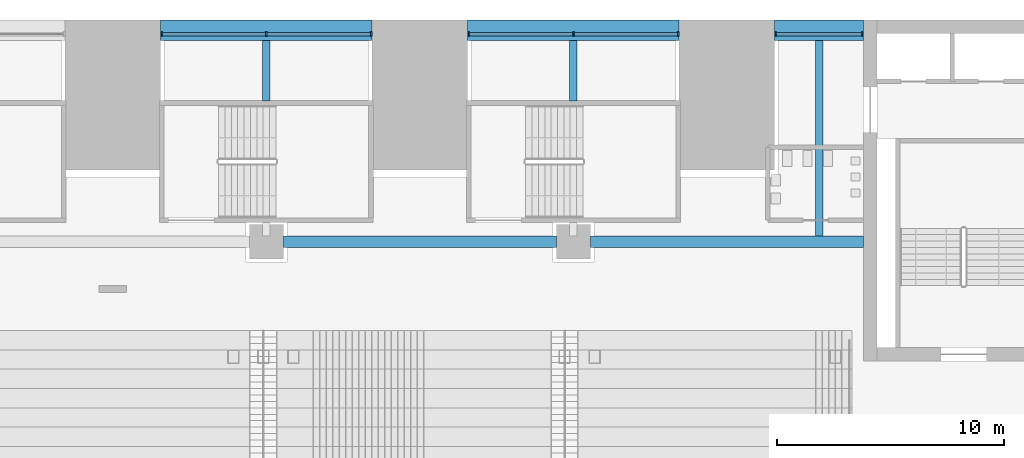
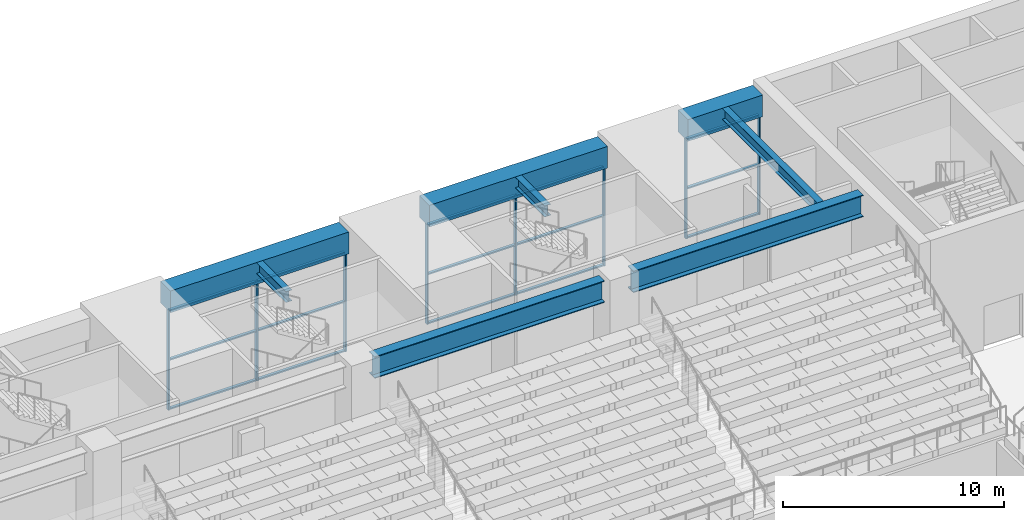
# One storey, part 11 of 62: 23 members, 8 beams, 3 elements without a shape of their own.
"""IFC4 building model written with IfcOpenShell, lengths in metres."""

from ifc_helpers import new_model, si_unit, direction, frame, origin, origin_2d, place, context, subcontext, project, spatial, rectangle, i_section, extrude, material, layer, layer_set, material_profile, profile_set, type_object, element, aggregate, save


model = new_model("IFC4")

# Units and contexts
model_context = context("Model", 3, precision=1e-05, world=origin(), true_north=direction((0.0, 1.0)))
body_context = subcontext(model_context, "Body", "Model", "MODEL_VIEW")
ifc_project = project(units=[si_unit("LENGTHUNIT", "METRE"), si_unit("AREAUNIT", "SQUARE_METRE"), si_unit("VOLUMEUNIT", "CUBIC_METRE"), si_unit("PLANEANGLEUNIT", "RADIAN"), si_unit("MASSUNIT", "GRAM", prefix="KILO")], contexts=[model_context])

# Site, building, storey
site_placement = place(None, origin())
site = spatial("IfcSite", under=ifc_project, at=site_placement, CompositionType="ELEMENT")
building_placement = place(site_placement, origin())
building = spatial("IfcBuilding", under=site, at=building_placement, Name="Corbelhall Arena Tower", CompositionType="ELEMENT")
storey_placement = place(building_placement, frame((0.0, 0.0, 12.0)))
storey = spatial("IfcBuildingStorey", under=building, at=storey_placement, Name="L01", CompositionType="ELEMENT", Elevation=12.0)

# Curtain wall, members
ifc_material_1 = material(Name="Aluminium black anodised", Category="aluminium")
ifc_layer = layer(ifc_material_1, 0.239990234375)
ifc_layer_set = layer_set([ifc_layer], Name="EV-CW4 Arena concourse glazing")
curtain_wall_type = type_object("IfcCurtainWallType", Name="EV-CW4 Arena concourse glazing", PredefinedType="NOTDEFINED", material=ifc_layer_set)
curtain_wall_1_placement = place(storey_placement, origin())
curtain_wall_1 = element("IfcCurtainWall", 1, at=curtain_wall_1_placement, inside=storey, type_object=curtain_wall_type, Name="Curtain wall CW4A", PredefinedType="NOTDEFINED")
ifc_material_profile_1 = material_profile(ifc_material_1, rectangle(XDim=0.199951171875, YDim=0.074951171875, at=origin_2d()))
ifc_profile_set_1 = profile_set([ifc_material_profile_1], Name="Aluminium black anodised")
member_type_1 = type_object("IfcMemberType", Name="EV-CW4-MULLION", PredefinedType="MULLION", material=ifc_profile_set_1)
member_1_placement = place(storey_placement, frame((32.96240234375, 38.3798828125, 0.0), z_axis=(0.0, 0.0, 1.0), x_axis=(0.0, -1.0, 0.0)))
member_1 = element("IfcMember", 2, at=member_1_placement, type_object=member_type_1, Name="CW4A mullion 1", PredefinedType="MULLION", context=body_context, shape_type="SweptSolid", body=[
    extrude(rectangle(XDim=0.199951171875, YDim=0.074951171875, at=origin_2d()), origin(), (0.0, 0.0, 1.0), 5.5),
])
member_2_placement = place(storey_placement, frame((29.137451171875, 38.3798828125, 0.0), z_axis=(0.0, 0.0, 1.0), x_axis=(0.0, -1.0, 0.0)))
member_2 = element("IfcMember", 3, at=member_2_placement, type_object=member_type_1, Name="CW4A mullion 2", PredefinedType="MULLION", context=body_context, shape_type="SweptSolid", body=[
    extrude(rectangle(XDim=0.199951171875, YDim=0.074951171875, at=origin_2d()), origin(), (0.0, 0.0, 1.0), 5.5),
])

curtain_wall_2_placement = place(storey_placement, origin())
curtain_wall_2 = element("IfcCurtainWall", 4, at=curtain_wall_2_placement, inside=storey, type_object=curtain_wall_type, Name="Curtain wall CW4", PredefinedType="NOTDEFINED")
member_3_placement = place(storey_placement, frame((24.862548828125, 38.3798828125, 0.0), z_axis=(0.0, 0.0, 1.0), x_axis=(0.0, -1.0, 0.0)))
member_3 = element("IfcMember", 5, at=member_3_placement, type_object=member_type_1, Name="CW4 mullion 1", PredefinedType="MULLION", context=body_context, shape_type="SweptSolid", body=[
    extrude(rectangle(XDim=0.199951171875, YDim=0.074951171875, at=origin_2d()), origin(), (0.0, 0.0, 1.0), 5.5),
])
member_4_placement = place(storey_placement, frame((20.25, 38.3798828125, 0.0), z_axis=(0.0, 0.0, 1.0), x_axis=(0.0, -1.0, 0.0)))
member_4 = element("IfcMember", 6, at=member_4_placement, type_object=member_type_1, Name="CW4 mullion 2", PredefinedType="MULLION", context=body_context, shape_type="SweptSolid", body=[
    extrude(rectangle(XDim=0.199951171875, YDim=0.074951171875, at=origin_2d()), origin(), (0.0, 0.0, 1.0), 5.5),
])
member_5_placement = place(storey_placement, frame((15.637451171875, 38.3798828125, 0.0), z_axis=(0.0, 0.0, 1.0), x_axis=(0.0, -1.0, 0.0)))
member_5 = element("IfcMember", 7, at=member_5_placement, type_object=member_type_1, Name="CW4 mullion 3", PredefinedType="MULLION", context=body_context, shape_type="SweptSolid", body=[
    extrude(rectangle(XDim=0.199951171875, YDim=0.074951171875, at=origin_2d()), origin(), (0.0, 0.0, 1.0), 5.5),
])

curtain_wall_3_placement = place(storey_placement, origin())
curtain_wall_3 = element("IfcCurtainWall", 8, at=curtain_wall_3_placement, inside=storey, type_object=curtain_wall_type, Name="Curtain wall CW4", PredefinedType="NOTDEFINED")
member_6_placement = place(storey_placement, frame((11.362548828125, 38.3798828125, 0.0), z_axis=(0.0, 0.0, 1.0), x_axis=(0.0, -1.0, 0.0)))
member_6 = element("IfcMember", 9, at=member_6_placement, type_object=member_type_1, Name="CW4 mullion 1", PredefinedType="MULLION", context=body_context, shape_type="SweptSolid", body=[
    extrude(rectangle(XDim=0.199951171875, YDim=0.074951171875, at=origin_2d()), origin(), (0.0, 0.0, 1.0), 5.5),
])
member_7_placement = place(storey_placement, frame((6.75, 38.3798828125, 0.0), z_axis=(0.0, 0.0, 1.0), x_axis=(0.0, -1.0, 0.0)))
member_7 = element("IfcMember", 10, at=member_7_placement, type_object=member_type_1, Name="CW4 mullion 2", PredefinedType="MULLION", context=body_context, shape_type="SweptSolid", body=[
    extrude(rectangle(XDim=0.199951171875, YDim=0.074951171875, at=origin_2d()), origin(), (0.0, 0.0, 1.0), 5.5),
])
member_8_placement = place(storey_placement, frame((2.137451171875, 38.3798828125, 0.0), z_axis=(0.0, 0.0, 1.0), x_axis=(0.0, -1.0, 0.0)))
member_8 = element("IfcMember", 11, at=member_8_placement, type_object=member_type_1, Name="CW4 mullion 3", PredefinedType="MULLION", context=body_context, shape_type="SweptSolid", body=[
    extrude(rectangle(XDim=0.199951171875, YDim=0.074951171875, at=origin_2d()), origin(), (0.0, 0.0, 1.0), 5.5),
])

# Member
ifc_material_profile_2 = material_profile(ifc_material_1, rectangle(XDim=0.14990234375, YDim=0.074951171875, at=origin_2d()))
ifc_profile_set_2 = profile_set([ifc_material_profile_2], Name="Aluminium black anodised")
member_type_2 = type_object("IfcMemberType", Name="EV-CW4-TRANSOM", PredefinedType="USERDEFINED", material=ifc_profile_set_2)
member_9_placement = place(storey_placement, frame((32.925048828125, 38.3798828125, 0.03759765625), z_axis=(-1.0, 0.0, 0.0), x_axis=(0.0, -1.0, 0.0)))
member_9 = element("IfcMember", 12, at=member_9_placement, type_object=member_type_2, Name="CW4A transom 1.1", ObjectType="transom", PredefinedType="USERDEFINED", context=body_context, shape_type="SweptSolid", body=[
    extrude(rectangle(XDim=0.14990234375, YDim=0.074951171875, at=origin_2d()), origin(), (0.0, 0.0, 1.0), 3.75),
])

member_10_placement = place(storey_placement, frame((32.925048828125, 38.3798828125, 2.75), z_axis=(-1.0, 0.0, 0.0), x_axis=(0.0, -1.0, 0.0)))
member_10 = element("IfcMember", 13, at=member_10_placement, type_object=member_type_2, Name="CW4A transom 1.2", ObjectType="transom", PredefinedType="USERDEFINED", context=body_context, shape_type="SweptSolid", body=[
    extrude(rectangle(XDim=0.14990234375, YDim=0.074951171875, at=origin_2d()), origin(), (0.0, 0.0, 1.0), 3.75),
])

member_11_placement = place(storey_placement, frame((32.925048828125, 38.3798828125, 5.46240234375), z_axis=(-1.0, 0.0, 0.0), x_axis=(0.0, -1.0, 0.0)))
member_11 = element("IfcMember", 14, at=member_11_placement, type_object=member_type_2, Name="CW4A transom 1.3", ObjectType="transom", PredefinedType="USERDEFINED", context=body_context, shape_type="SweptSolid", body=[
    extrude(rectangle(XDim=0.14990234375, YDim=0.074951171875, at=origin_2d()), origin(), (0.0, 0.0, 1.0), 3.75),
])

aggregate(curtain_wall_1, [member_1, member_2, member_9, member_10, member_11])

member_12_placement = place(storey_placement, frame((24.824951171875, 38.3798828125, 0.03759765625), z_axis=(-1.0, 0.0, 0.0), x_axis=(0.0, -1.0, 0.0)))
member_12 = element("IfcMember", 15, at=member_12_placement, type_object=member_type_2, Name="CW4 transom 1.1", ObjectType="transom", PredefinedType="USERDEFINED", context=body_context, shape_type="SweptSolid", body=[
    extrude(rectangle(XDim=0.14990234375, YDim=0.074951171875, at=origin_2d()), origin(), (0.0, 0.0, 1.0), 4.537353515625),
])

member_13_placement = place(storey_placement, frame((24.824951171875, 38.3798828125, 2.75), z_axis=(-1.0, 0.0, 0.0), x_axis=(0.0, -1.0, 0.0)))
member_13 = element("IfcMember", 16, at=member_13_placement, type_object=member_type_2, Name="CW4 transom 1.2", ObjectType="transom", PredefinedType="USERDEFINED", context=body_context, shape_type="SweptSolid", body=[
    extrude(rectangle(XDim=0.14990234375, YDim=0.074951171875, at=origin_2d()), origin(), (0.0, 0.0, 1.0), 4.537353515625),
])

member_14_placement = place(storey_placement, frame((24.824951171875, 38.3798828125, 5.46240234375), z_axis=(-1.0, 0.0, 0.0), x_axis=(0.0, -1.0, 0.0)))
member_14 = element("IfcMember", 17, at=member_14_placement, type_object=member_type_2, Name="CW4 transom 1.3", ObjectType="transom", PredefinedType="USERDEFINED", context=body_context, shape_type="SweptSolid", body=[
    extrude(rectangle(XDim=0.14990234375, YDim=0.074951171875, at=origin_2d()), origin(), (0.0, 0.0, 1.0), 4.537353515625),
])

member_15_placement = place(storey_placement, frame((20.21240234375, 38.3798828125, 0.03759765625), z_axis=(-1.0, 0.0, 0.0), x_axis=(0.0, -1.0, 0.0)))
member_15 = element("IfcMember", 18, at=member_15_placement, type_object=member_type_2, Name="CW4 transom 2.1", ObjectType="transom", PredefinedType="USERDEFINED", context=body_context, shape_type="SweptSolid", body=[
    extrude(rectangle(XDim=0.14990234375, YDim=0.074951171875, at=origin_2d()), origin(), (0.0, 0.0, 1.0), 4.537353515625),
])

member_16_placement = place(storey_placement, frame((20.21240234375, 38.3798828125, 2.75), z_axis=(-1.0, 0.0, 0.0), x_axis=(0.0, -1.0, 0.0)))
member_16 = element("IfcMember", 19, at=member_16_placement, type_object=member_type_2, Name="CW4 transom 2.2", ObjectType="transom", PredefinedType="USERDEFINED", context=body_context, shape_type="SweptSolid", body=[
    extrude(rectangle(XDim=0.14990234375, YDim=0.074951171875, at=origin_2d()), origin(), (0.0, 0.0, 1.0), 4.537353515625),
])

member_17_placement = place(storey_placement, frame((20.21240234375, 38.3798828125, 5.46240234375), z_axis=(-1.0, 0.0, 0.0), x_axis=(0.0, -1.0, 0.0)))
member_17 = element("IfcMember", 20, at=member_17_placement, type_object=member_type_2, Name="CW4 transom 2.3", ObjectType="transom", PredefinedType="USERDEFINED", context=body_context, shape_type="SweptSolid", body=[
    extrude(rectangle(XDim=0.14990234375, YDim=0.074951171875, at=origin_2d()), origin(), (0.0, 0.0, 1.0), 4.537353515625),
])

aggregate(curtain_wall_2, [member_3, member_4, member_5, member_12, member_13, member_14, member_15, member_16, member_17])

member_18_placement = place(storey_placement, frame((11.324951171875, 38.3798828125, 0.03759765625), z_axis=(-1.0, 0.0, 0.0), x_axis=(0.0, -1.0, 0.0)))
member_18 = element("IfcMember", 21, at=member_18_placement, type_object=member_type_2, Name="CW4 transom 1.1", ObjectType="transom", PredefinedType="USERDEFINED", context=body_context, shape_type="SweptSolid", body=[
    extrude(rectangle(XDim=0.14990234375, YDim=0.074951171875, at=origin_2d()), origin(), (0.0, 0.0, 1.0), 4.537353515625),
])

member_19_placement = place(storey_placement, frame((11.324951171875, 38.3798828125, 2.75), z_axis=(-1.0, 0.0, 0.0), x_axis=(0.0, -1.0, 0.0)))
member_19 = element("IfcMember", 22, at=member_19_placement, type_object=member_type_2, Name="CW4 transom 1.2", ObjectType="transom", PredefinedType="USERDEFINED", context=body_context, shape_type="SweptSolid", body=[
    extrude(rectangle(XDim=0.14990234375, YDim=0.074951171875, at=origin_2d()), origin(), (0.0, 0.0, 1.0), 4.537353515625),
])

member_20_placement = place(storey_placement, frame((11.324951171875, 38.3798828125, 5.46240234375), z_axis=(-1.0, 0.0, 0.0), x_axis=(0.0, -1.0, 0.0)))
member_20 = element("IfcMember", 23, at=member_20_placement, type_object=member_type_2, Name="CW4 transom 1.3", ObjectType="transom", PredefinedType="USERDEFINED", context=body_context, shape_type="SweptSolid", body=[
    extrude(rectangle(XDim=0.14990234375, YDim=0.074951171875, at=origin_2d()), origin(), (0.0, 0.0, 1.0), 4.537353515625),
])

member_21_placement = place(storey_placement, frame((6.71240234375, 38.3798828125, 0.03759765625), z_axis=(-1.0, 0.0, 0.0), x_axis=(0.0, -1.0, 0.0)))
member_21 = element("IfcMember", 24, at=member_21_placement, type_object=member_type_2, Name="CW4 transom 2.1", ObjectType="transom", PredefinedType="USERDEFINED", context=body_context, shape_type="SweptSolid", body=[
    extrude(rectangle(XDim=0.14990234375, YDim=0.074951171875, at=origin_2d()), origin(), (0.0, 0.0, 1.0), 4.537353515625),
])

member_22_placement = place(storey_placement, frame((6.71240234375, 38.3798828125, 2.75), z_axis=(-1.0, 0.0, 0.0), x_axis=(0.0, -1.0, 0.0)))
member_22 = element("IfcMember", 25, at=member_22_placement, type_object=member_type_2, Name="CW4 transom 2.2", ObjectType="transom", PredefinedType="USERDEFINED", context=body_context, shape_type="SweptSolid", body=[
    extrude(rectangle(XDim=0.14990234375, YDim=0.074951171875, at=origin_2d()), origin(), (0.0, 0.0, 1.0), 4.537353515625),
])

member_23_placement = place(storey_placement, frame((6.71240234375, 38.3798828125, 5.46240234375), z_axis=(-1.0, 0.0, 0.0), x_axis=(0.0, -1.0, 0.0)))
member_23 = element("IfcMember", 26, at=member_23_placement, type_object=member_type_2, Name="CW4 transom 2.3", ObjectType="transom", PredefinedType="USERDEFINED", context=body_context, shape_type="SweptSolid", body=[
    extrude(rectangle(XDim=0.14990234375, YDim=0.074951171875, at=origin_2d()), origin(), (0.0, 0.0, 1.0), 4.537353515625),
])

aggregate(curtain_wall_3, [member_6, member_7, member_8, member_18, member_19, member_20, member_21, member_22, member_23])

# Beams
ifc_material_2 = material(Name="Steel ASTM A992 Gr50", Category="steel")
ifc_material_profile_3 = material_profile(ifc_material_2, i_section(OverallWidth=0.323974609375, OverallDepth=0.611083984375, WebThickness=0.0126953125, FlangeThickness=0.01904296875, at=origin_2d()))
ifc_profile_set_3 = profile_set([ifc_material_profile_3], Name="Steel ASTM A992 Gr50")
beam_type_1 = type_object("IfcBeamType", Name="PO-BEAM-W24X104", PredefinedType="BEAM", material=ifc_profile_set_3)
for number, where, z_axis, x_axis, name in (
    (27, (6.75, 35.449951171875, 6.39453125), (0.0, 1.0, 0.0), (-1.0, 0.0, 0.0), "CONCOURSE BEAM"),
    (28, (20.25, 35.449951171875, 6.39453125), (0.0, 1.0, 0.0), (-1.0, 0.0, 0.0), "CONCOURSE BEAM"),
):
    element("IfcBeam", number, at=place(storey_placement, frame(where, z_axis=z_axis, x_axis=x_axis)), inside=storey, type_object=beam_type_1, Name=name, PredefinedType="BEAM", context=body_context, shape_type="SweptSolid", body=[
        extrude(i_section(OverallWidth=0.323974609375, OverallDepth=0.611083984375, WebThickness=0.0126953125, FlangeThickness=0.01904296875, at=origin_2d()), origin(), (0.0, 0.0, 1.0), 2.650146484375),
    ])
beam_1_placement = place(storey_placement, frame((31.050048828125, 29.5, 6.39453125), z_axis=(0.0, 1.0, 0.0), x_axis=(-1.0, 0.0, 0.0)))
element("IfcBeam", 29, at=beam_1_placement, inside=storey, type_object=beam_type_1, Name="CONCOURSE BEAM", PredefinedType="BEAM", context=body_context, shape_type="SweptSolid", body=[
    extrude(i_section(OverallWidth=0.323974609375, OverallDepth=0.611083984375, WebThickness=0.0126953125, FlangeThickness=0.01904296875, at=origin_2d()), origin(), (0.0, 0.0, 1.0), 8.60009765625),
])
ifc_material_3 = material(Name="Steel ASTM A572 Gr50", Category="steel")
ifc_material_profile_4 = material_profile(ifc_material_3, i_section(OverallWidth=0.5, OverallDepth=1.199951171875, WebThickness=0.02490234375, FlangeThickness=0.044921875, at=origin_2d()))
ifc_profile_set_4 = profile_set([ifc_material_profile_4], Name="Steel ASTM A572 Gr50")
beam_type_2 = type_object("IfcBeamType", Name="PO-GIRDER-PG1200X500X25X45", PredefinedType="BEAM", material=ifc_profile_set_4)
for number, where, z_axis, x_axis, name in (
    (30, (7.5, 29.25, 6.10009765625), (1.0, 0.0, 0.0), (0.0, 1.0, 0.0), "RING GIRDER"),
    (31, (21.0, 29.25, 6.10009765625), (1.0, 0.0, 0.0), (0.0, 1.0, 0.0), "RING GIRDER"),
):
    element("IfcBeam", number, at=place(storey_placement, frame(where, z_axis=z_axis, x_axis=x_axis)), inside=storey, type_object=beam_type_2, Name=name, PredefinedType="BEAM", context=body_context, shape_type="SweptSolid", body=[
        extrude(i_section(OverallWidth=0.5, OverallDepth=1.199951171875, WebThickness=0.02490234375, FlangeThickness=0.044921875, at=origin_2d()), origin(), (0.0, 0.0, 1.0), 12.0),
    ])
ifc_material_4 = material(Name="Concrete C80/95", Category="concrete")
ifc_material_profile_5 = material_profile(ifc_material_4, rectangle(XDim=0.89990234375, YDim=1.199951171875, at=origin_2d()))
ifc_profile_set_5 = profile_set([ifc_material_profile_5], Name="Concrete C80/95")
beam_type_3 = type_object("IfcBeamType", Name="PO-RING-BEAM", PredefinedType="BEAM", material=ifc_profile_set_5)
for number, where, z_axis, x_axis, name in (
    (32, (2.10009765625, 38.550048828125, 6.10009765625), (1.0, 0.0, 0.0), (0.0, 1.0, 0.0), "RING GIRDER L02 N4"),
    (33, (15.60009765625, 38.550048828125, 6.10009765625), (1.0, 0.0, 0.0), (0.0, 1.0, 0.0), "RING GIRDER L02 N5"),
):
    element("IfcBeam", number, at=place(storey_placement, frame(where, z_axis=z_axis, x_axis=x_axis)), inside=storey, type_object=beam_type_3, Name=name, PredefinedType="BEAM", context=body_context, shape_type="SweptSolid", body=[
        extrude(rectangle(XDim=0.89990234375, YDim=1.199951171875, at=origin_2d()), origin(), (0.0, 0.0, 1.0), 9.2998046875),
    ])
beam_2_placement = place(storey_placement, frame((29.10009765625, 38.550048828125, 6.10009765625), z_axis=(1.0, 0.0, 0.0), x_axis=(0.0, 1.0, 0.0)))
element("IfcBeam", 34, at=beam_2_placement, inside=storey, type_object=beam_type_3, Name="RING GIRDER L02 N6", PredefinedType="BEAM", context=body_context, shape_type="SweptSolid", body=[
    extrude(rectangle(XDim=0.89990234375, YDim=1.199951171875, at=origin_2d()), origin(), (0.0, 0.0, 1.0), 3.89990234375),
])

save(model, "model.ifc")
